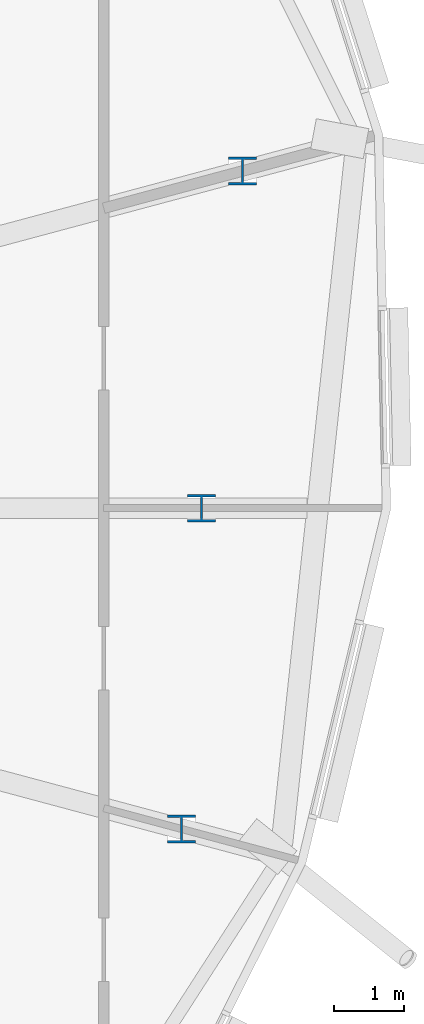
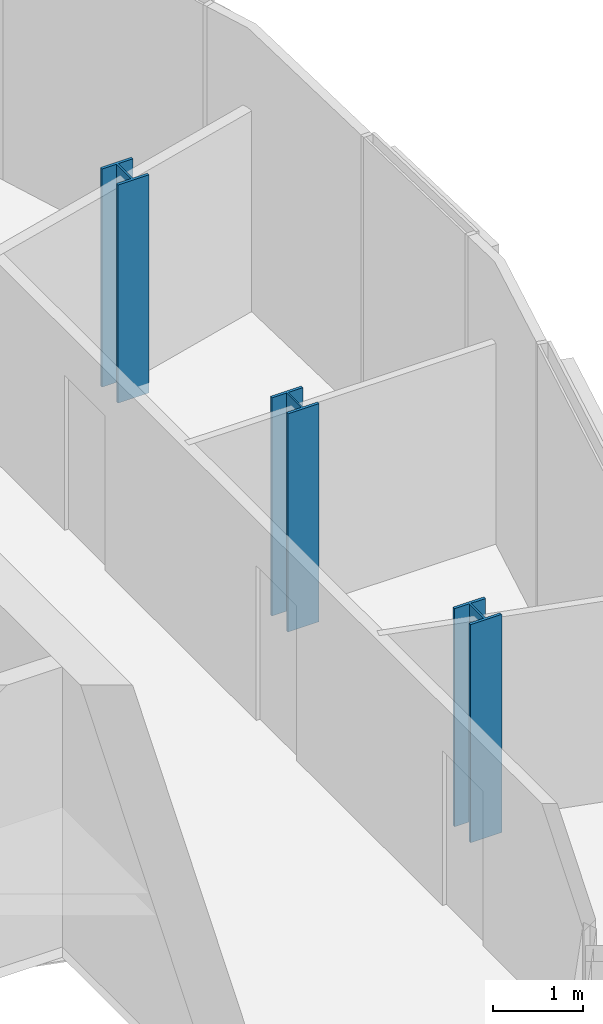
# One storey, part 2 of 41: 3 columns.
"""IFC4 building model written with IfcOpenShell, lengths in metres."""

import ifcopenshell
import ifcopenshell.guid

model = None  # the IFC model being written
_history = None  # IfcOwnerHistory: only IFC2X3 demands one
_inside = {}  # id of a spatial element -> (the spatial element, [elements in it])
_under = {}  # id of a project, library or spatial element -> (it, [spatial elements below it])
_declared = {}  # id of a project -> (the project, [libraries it declares])
_typed = {}  # id of a type object -> (the type object, [elements of that type])
_made_of = {}  # id of a material, layer set ... -> (it, [elements and type objects made of it])


def new_model(schema):
    """Start an empty IFC model of exactly this schema.

    Asked for "IFC4X3", IfcOpenShell would pick the latest addendum, in which some entities
    have other attributes; the version numbers below select the first issue.
    IFC2X3 requires an IfcOwnerHistory on every rooted entity: one is made here for all.
    """
    global model, _history
    if schema == "IFC4X3":
        model = ifcopenshell.file(schema_version=(4, 3, 0, 0))
    else:
        model = ifcopenshell.file(schema=schema)
    _inside.clear()
    _under.clear()
    _declared.clear()
    _typed.clear()
    _made_of.clear()
    _history = None
    if model.schema == "IFC2X3":
        org = make("IfcOrganization", Name="unknown")
        user = make(
            "IfcPersonAndOrganization",
            ThePerson=make("IfcPerson", FamilyName="unknown"),
            TheOrganization=org,
        )
        app = make(
            "IfcApplication",
            ApplicationDeveloper=org,
            Version="unknown",
            ApplicationFullName="unknown",
            ApplicationIdentifier="unknown",
        )
        _history = make(
            "IfcOwnerHistory",
            OwningUser=user,
            OwningApplication=app,
            ChangeAction="ADDED",
            CreationDate=0,
        )
    return model


def make(cls, **values):
    """One entity of the class cls with the attributes given. An attribute that is None is left unset."""
    return model.create_entity(
        cls, **{name: value for name, value in values.items() if value is not None}
    )


def rooted(cls, **values):
    """An entity with a GlobalId (a new one), such as an element, a storey or a relation."""
    return make(cls, GlobalId=ifcopenshell.guid.new(), OwnerHistory=_history, **values)


def si_unit(unit_type, name, prefix=None):
    """IfcSIUnit, for example si_unit("LENGTHUNIT", "METRE", prefix="MILLI")."""
    return make("IfcSIUnit", UnitType=unit_type, Prefix=prefix, Name=name)


def assignment(units):
    """IfcUnitAssignment: the units of a project."""
    return None if units is None else make("IfcUnitAssignment", Units=units)


def point(xyz):
    """IfcCartesianPoint."""
    return None if xyz is None else make("IfcCartesianPoint", Coordinates=xyz)


def direction(xyz):
    """IfcDirection."""
    return None if xyz is None else make("IfcDirection", DirectionRatios=xyz)


def frame(location, z_axis=None, x_axis=None):
    """IfcAxis2Placement3D, a coordinate frame: its origin and axes. An axis left out is left unset."""
    return make(
        "IfcAxis2Placement3D",
        Location=point(location),
        Axis=direction(z_axis),
        RefDirection=direction(x_axis),
    )


def frame_2d(location, x_axis=None):
    """IfcAxis2Placement2D, a coordinate frame in the plane: its origin and x axis."""
    return make(
        "IfcAxis2Placement2D", Location=point(location), RefDirection=direction(x_axis)
    )


def origin():
    """The frame at (0, 0, 0) with its axes left unset."""
    return frame((0.0, 0.0, 0.0))


def origin_2d():
    """The frame at (0, 0) in the plane with its x axis left unset."""
    return frame_2d((0.0, 0.0))


def place(relative_to, where):
    """IfcLocalPlacement: puts the frame where relative to a parent placement (None: the world)."""
    return make(
        "IfcLocalPlacement", PlacementRelTo=relative_to, RelativePlacement=where
    )


def context(
    kind, dimensions, precision=None, world=None, true_north=None, identifier=None
):
    """IfcGeometricRepresentationContext, for example the 3D "Model" context."""
    return make(
        "IfcGeometricRepresentationContext",
        ContextIdentifier=identifier,
        ContextType=kind,
        CoordinateSpaceDimension=dimensions,
        Precision=precision,
        WorldCoordinateSystem=world,
        TrueNorth=true_north,
    )


def subcontext(parent, identifier, kind, view, scale=None):
    """IfcGeometricRepresentationSubContext, for example "Body" below "Model"."""
    return make(
        "IfcGeometricRepresentationSubContext",
        ContextIdentifier=identifier,
        ContextType=kind,
        ParentContext=parent,
        TargetScale=scale,
        TargetView=view,
    )


def project(units=None, contexts=None):
    """IfcProject with its units and contexts."""
    return rooted(
        "IfcProject",
        Name="project",
        RepresentationContexts=contexts,
        UnitsInContext=assignment(units),
    )


def spatial(cls, under=None, at=None, **own):
    """A site, building, storey or space (cls), placed at a placement, below another one or the project."""
    s = rooted(cls, ObjectPlacement=at, **own)
    if under is not None:
        _under.setdefault(under.id(), (under, []))[1].append(s)
    return s


def profile(cls, at=None, kind="AREA", **sizes):
    """A parametric profile (cls). Its sizes go by their IFC names, for example OverallWidth=200.0."""
    return make(cls, ProfileType=kind, Position=at, **sizes)


def i_section(**sizes):
    """IfcIShapeProfileDef."""
    return profile("IfcIShapeProfileDef", **sizes)


def extrude(swept, where, along, depth):
    """IfcExtrudedAreaSolid: the profile swept, set in the frame where, extruded along a direction by depth."""
    return make(
        "IfcExtrudedAreaSolid",
        SweptArea=swept,
        Position=where,
        ExtrudedDirection=direction(along),
        Depth=depth,
    )


def shape(context_of_items, identifier, shape_type, items):
    """IfcShapeRepresentation: the items that make up one representation, for example the "Body"."""
    return make(
        "IfcShapeRepresentation",
        ContextOfItems=context_of_items,
        RepresentationIdentifier=identifier,
        RepresentationType=shape_type,
        Items=items,
    )


def material(Name=None, Category=None):
    """IfcMaterial."""
    return make("IfcMaterial", Name=Name, Category=Category)


def material_profile(
    of_material, cross_section, Name=None, Category=None, Priority=None
):
    """IfcMaterialProfile: a cross section and its material."""
    return make(
        "IfcMaterialProfile",
        Name=Name,
        Material=of_material,
        Profile=cross_section,
        Priority=Priority,
        Category=Category,
    )


def profile_set(profiles, Name=None, composite=None):
    """IfcMaterialProfileSet."""
    return make(
        "IfcMaterialProfileSet",
        Name=Name,
        MaterialProfiles=profiles,
        CompositeProfile=composite,
    )


def made_of(thing, what):
    """Note that an element or type object is made of a material, layer set ...; save() writes the relation."""
    if what is not None:
        _made_of.setdefault(what.id(), (what, []))[1].append(thing)
    return thing


def type_object(cls, material=None, **own):
    """A type object (cls), such as IfcWallType, which elements share."""
    return made_of(rooted(cls, **own), material)


def element(
    cls,
    number,
    at=None,
    inside=None,
    cuts=None,
    type_object=None,
    material=None,
    context=None,
    identifier="Body",
    shape_type=None,
    held_by="IfcProductDefinitionShape",
    body=None,
    shapes=None,
    **own,
):
    """One element of the class cls, such as IfcWall. Its Tag is "e" and its number.

    at: its placement. inside: the storey or other place that contains it. cuts: it is an
    opening in that element (IfcRelVoidsElement). A single representation is given by context,
    identifier, shape_type and body (its items); several are given by shapes. held_by: the class
    of the entity that holds the representations. save() writes the other relations.
    """
    e = rooted(cls, Tag="e%d" % number, ObjectPlacement=at, **own)
    if body is not None:
        shapes = [shape(context, identifier, shape_type, body)]
    if shapes is not None:
        e.Representation = make(held_by, Representations=shapes)
    if inside is not None:
        _inside.setdefault(inside.id(), (inside, []))[1].append(e)
    if cuts is not None:
        rooted(
            "IfcRelVoidsElement", RelatingBuildingElement=cuts, RelatedOpeningElement=e
        )
    if type_object is not None:
        _typed.setdefault(type_object.id(), (type_object, []))[1].append(e)
    return made_of(e, material)


def aggregate(whole, parts):
    """IfcRelAggregates: a whole, such as a stair, and the parts it consists of."""
    return rooted("IfcRelAggregates", RelatingObject=whole, RelatedObjects=parts)


def save(model, path):
    """Write the relations noted so far, then the file.

    IfcRelAggregates (storeys below a building ...), IfcRelContainedInSpatialStructure (elements
    in a storey), IfcRelDefinesByType, IfcRelAssociatesMaterial and IfcRelDeclares: one each for
    every whole, place, type object, material and project.
    """
    for whole, parts in _under.values():
        aggregate(whole, parts)
    for where, things in _inside.values():
        rooted(
            "IfcRelContainedInSpatialStructure",
            RelatedElements=things,
            RelatingStructure=where,
        )
    for kind, things in _typed.values():
        rooted("IfcRelDefinesByType", RelatedObjects=things, RelatingType=kind)
    for what, things in _made_of.values():
        rooted("IfcRelAssociatesMaterial", RelatedObjects=things, RelatingMaterial=what)
    for by, libraries in _declared.values():
        rooted("IfcRelDeclares", RelatingContext=by, RelatedDefinitions=libraries)
    model.write(path)


model = new_model("IFC4")

# Units and contexts
model_context = context("Model", 3, precision=1e-05, world=origin(), true_north=direction((0.0, 1.0)))
body_context = subcontext(model_context, "Body", "Model", "MODEL_VIEW")
ifc_project = project(units=[si_unit("LENGTHUNIT", "METRE"), si_unit("AREAUNIT", "SQUARE_METRE"), si_unit("VOLUMEUNIT", "CUBIC_METRE"), si_unit("PLANEANGLEUNIT", "RADIAN"), si_unit("MASSUNIT", "GRAM", prefix="KILO")], contexts=[model_context])

# Site, building, storey
site_placement = place(None, origin())
site = spatial("IfcSite", under=ifc_project, at=site_placement, CompositionType="ELEMENT")
building_placement = place(site_placement, origin())
building = spatial("IfcBuilding", under=site, at=building_placement, Name="Rimbun Link Towers", CompositionType="ELEMENT")
storey_placement = place(building_placement, frame((0.0, 0.0, 210.5)))
storey = spatial("IfcBuildingStorey", under=building, at=storey_placement, Name="L51", CompositionType="ELEMENT", Elevation=210.5)

# Columns
ifc_material = material(Name="Steel S355J2", Category="steel")
ifc_material_profile = material_profile(ifc_material, i_section(OverallWidth=0.39892578125, OverallDepth=0.3935546875, WebThickness=0.022705078125, FlangeThickness=0.03662109375, at=origin_2d()), Name="UC 356x406x287")
ifc_profile_set = profile_set([ifc_material_profile], Name="Steel S355J2")
column_type = type_object("IfcColumnType", Name="UC 356x406x287", PredefinedType="COLUMN", material=ifc_profile_set)
for number, where, z_axis, x_axis, name in (
    (1, (48.738525390625, -4.552001953125, -0.139892578125), (0.0, 0.0, 1.0), (1.0, 0.0, 0.0), "Crease post T2 L51 20"),
    (2, (49.022705078125, 0.0, -0.139892578125), (0.0, 0.0, 1.0), (1.0, 0.0, 0.0), "Crease post T2 L51 21"),
    (3, (49.603515625, 4.783935546875, -0.139892578125), (0.0, 0.0, 1.0), (1.0, 0.0, 0.0), "Crease post T2 L51 22"),
):
    element("IfcColumn", number, at=place(storey_placement, frame(where, z_axis=z_axis, x_axis=x_axis)), inside=storey, type_object=column_type, Name=name, PredefinedType="COLUMN", context=body_context, shape_type="SweptSolid", body=[
        extrude(i_section(OverallWidth=0.39892578125, OverallDepth=0.3935546875, WebThickness=0.022705078125, FlangeThickness=0.03662109375, at=origin_2d()), origin(), (0.0, 0.0, 1.0), 2.959228515625),
    ])

save(model, "model.ifc")
